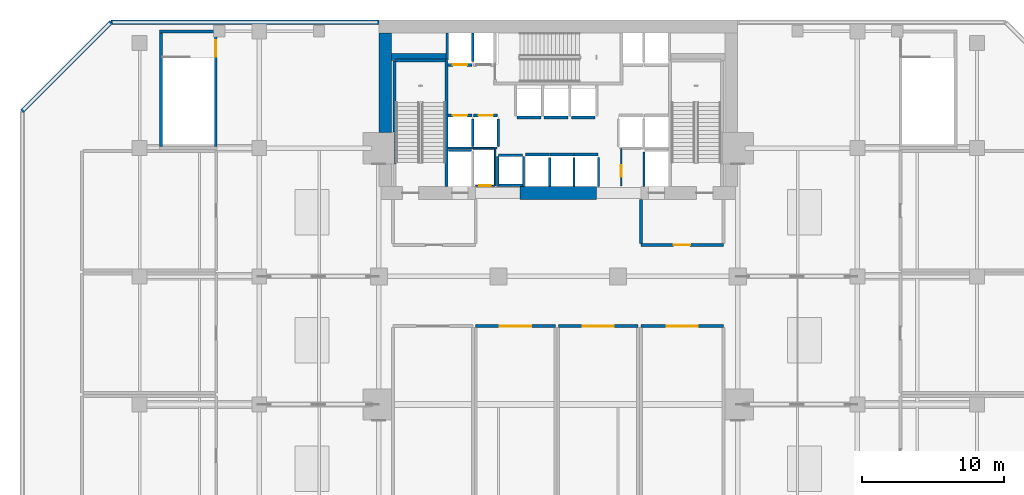
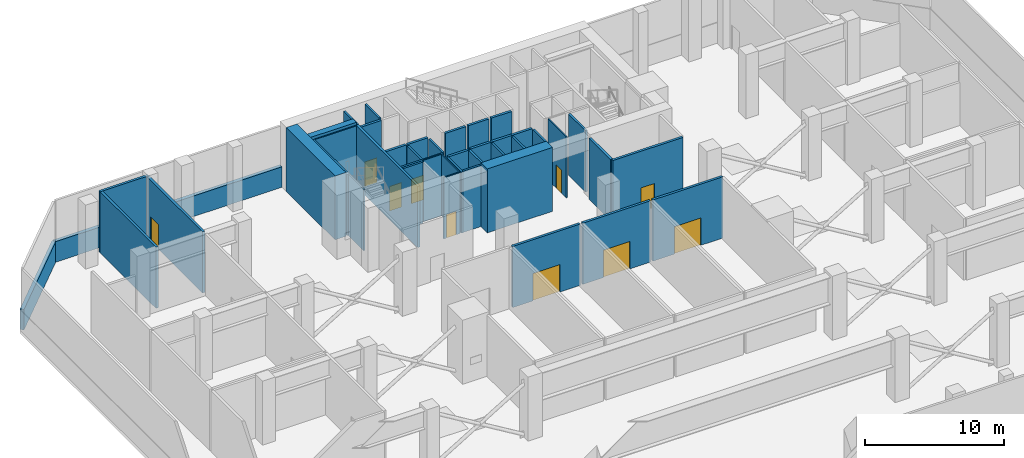
# One storey, part 9 of 15: 44 walls, 10 doors, 10 openings.
"""IFC4 building model written with IfcOpenShell, lengths in metres."""

import ifcopenshell
import ifcopenshell.guid

model = None  # the IFC model being written
_history = None  # IfcOwnerHistory: only IFC2X3 demands one
_inside = {}  # id of a spatial element -> (the spatial element, [elements in it])
_under = {}  # id of a project, library or spatial element -> (it, [spatial elements below it])
_declared = {}  # id of a project -> (the project, [libraries it declares])
_typed = {}  # id of a type object -> (the type object, [elements of that type])
_made_of = {}  # id of a material, layer set ... -> (it, [elements and type objects made of it])


def new_model(schema):
    """Start an empty IFC model of exactly this schema.

    Asked for "IFC4X3", IfcOpenShell would pick the latest addendum, in which some entities
    have other attributes; the version numbers below select the first issue.
    IFC2X3 requires an IfcOwnerHistory on every rooted entity: one is made here for all.
    """
    global model, _history
    if schema == "IFC4X3":
        model = ifcopenshell.file(schema_version=(4, 3, 0, 0))
    else:
        model = ifcopenshell.file(schema=schema)
    _inside.clear()
    _under.clear()
    _declared.clear()
    _typed.clear()
    _made_of.clear()
    _history = None
    if model.schema == "IFC2X3":
        org = make("IfcOrganization", Name="unknown")
        user = make(
            "IfcPersonAndOrganization",
            ThePerson=make("IfcPerson", FamilyName="unknown"),
            TheOrganization=org,
        )
        app = make(
            "IfcApplication",
            ApplicationDeveloper=org,
            Version="unknown",
            ApplicationFullName="unknown",
            ApplicationIdentifier="unknown",
        )
        _history = make(
            "IfcOwnerHistory",
            OwningUser=user,
            OwningApplication=app,
            ChangeAction="ADDED",
            CreationDate=0,
        )
    return model


def make(cls, **values):
    """One entity of the class cls with the attributes given. An attribute that is None is left unset."""
    return model.create_entity(
        cls, **{name: value for name, value in values.items() if value is not None}
    )


def rooted(cls, **values):
    """An entity with a GlobalId (a new one), such as an element, a storey or a relation."""
    return make(cls, GlobalId=ifcopenshell.guid.new(), OwnerHistory=_history, **values)


def si_unit(unit_type, name, prefix=None):
    """IfcSIUnit, for example si_unit("LENGTHUNIT", "METRE", prefix="MILLI")."""
    return make("IfcSIUnit", UnitType=unit_type, Prefix=prefix, Name=name)


def assignment(units):
    """IfcUnitAssignment: the units of a project."""
    return None if units is None else make("IfcUnitAssignment", Units=units)


def point(xyz):
    """IfcCartesianPoint."""
    return None if xyz is None else make("IfcCartesianPoint", Coordinates=xyz)


def direction(xyz):
    """IfcDirection."""
    return None if xyz is None else make("IfcDirection", DirectionRatios=xyz)


def frame(location, z_axis=None, x_axis=None):
    """IfcAxis2Placement3D, a coordinate frame: its origin and axes. An axis left out is left unset."""
    return make(
        "IfcAxis2Placement3D",
        Location=point(location),
        Axis=direction(z_axis),
        RefDirection=direction(x_axis),
    )


def frame_2d(location, x_axis=None):
    """IfcAxis2Placement2D, a coordinate frame in the plane: its origin and x axis."""
    return make(
        "IfcAxis2Placement2D", Location=point(location), RefDirection=direction(x_axis)
    )


def origin():
    """The frame at (0, 0, 0) with its axes left unset."""
    return frame((0.0, 0.0, 0.0))


def place(relative_to, where):
    """IfcLocalPlacement: puts the frame where relative to a parent placement (None: the world)."""
    return make(
        "IfcLocalPlacement", PlacementRelTo=relative_to, RelativePlacement=where
    )


def context(
    kind, dimensions, precision=None, world=None, true_north=None, identifier=None
):
    """IfcGeometricRepresentationContext, for example the 3D "Model" context."""
    return make(
        "IfcGeometricRepresentationContext",
        ContextIdentifier=identifier,
        ContextType=kind,
        CoordinateSpaceDimension=dimensions,
        Precision=precision,
        WorldCoordinateSystem=world,
        TrueNorth=true_north,
    )


def subcontext(parent, identifier, kind, view, scale=None):
    """IfcGeometricRepresentationSubContext, for example "Body" below "Model"."""
    return make(
        "IfcGeometricRepresentationSubContext",
        ContextIdentifier=identifier,
        ContextType=kind,
        ParentContext=parent,
        TargetScale=scale,
        TargetView=view,
    )


def project(units=None, contexts=None):
    """IfcProject with its units and contexts."""
    return rooted(
        "IfcProject",
        Name="project",
        RepresentationContexts=contexts,
        UnitsInContext=assignment(units),
    )


def spatial(cls, under=None, at=None, **own):
    """A site, building, storey or space (cls), placed at a placement, below another one or the project."""
    s = rooted(cls, ObjectPlacement=at, **own)
    if under is not None:
        _under.setdefault(under.id(), (under, []))[1].append(s)
    return s


def profile(cls, at=None, kind="AREA", **sizes):
    """A parametric profile (cls). Its sizes go by their IFC names, for example OverallWidth=200.0."""
    return make(cls, ProfileType=kind, Position=at, **sizes)


def rectangle(**sizes):
    """IfcRectangleProfileDef."""
    return profile("IfcRectangleProfileDef", **sizes)


def extrude(swept, where, along, depth):
    """IfcExtrudedAreaSolid: the profile swept, set in the frame where, extruded along a direction by depth."""
    return make(
        "IfcExtrudedAreaSolid",
        SweptArea=swept,
        Position=where,
        ExtrudedDirection=direction(along),
        Depth=depth,
    )


def shape(context_of_items, identifier, shape_type, items):
    """IfcShapeRepresentation: the items that make up one representation, for example the "Body"."""
    return make(
        "IfcShapeRepresentation",
        ContextOfItems=context_of_items,
        RepresentationIdentifier=identifier,
        RepresentationType=shape_type,
        Items=items,
    )


def material(Name=None, Category=None):
    """IfcMaterial."""
    return make("IfcMaterial", Name=Name, Category=Category)


def layer(
    of_material, thickness, ventilated=None, Name=None, Category=None, Priority=None
):
    """IfcMaterialLayer: one layer of a wall or slab, of a material (None: an air gap)."""
    return make(
        "IfcMaterialLayer",
        Material=of_material,
        LayerThickness=thickness,
        IsVentilated=ventilated,
        Name=Name,
        Category=Category,
        Priority=Priority,
    )


def layer_set(layers, Name=None):
    """IfcMaterialLayerSet."""
    return make("IfcMaterialLayerSet", MaterialLayers=layers, LayerSetName=Name)


def made_of(thing, what):
    """Note that an element or type object is made of a material, layer set ...; save() writes the relation."""
    if what is not None:
        _made_of.setdefault(what.id(), (what, []))[1].append(thing)
    return thing


def type_object(cls, material=None, **own):
    """A type object (cls), such as IfcWallType, which elements share."""
    return made_of(rooted(cls, **own), material)


def element(
    cls,
    number,
    at=None,
    inside=None,
    cuts=None,
    type_object=None,
    material=None,
    context=None,
    identifier="Body",
    shape_type=None,
    held_by="IfcProductDefinitionShape",
    body=None,
    shapes=None,
    **own,
):
    """One element of the class cls, such as IfcWall. Its Tag is "e" and its number.

    at: its placement. inside: the storey or other place that contains it. cuts: it is an
    opening in that element (IfcRelVoidsElement). A single representation is given by context,
    identifier, shape_type and body (its items); several are given by shapes. held_by: the class
    of the entity that holds the representations. save() writes the other relations.
    """
    e = rooted(cls, Tag="e%d" % number, ObjectPlacement=at, **own)
    if body is not None:
        shapes = [shape(context, identifier, shape_type, body)]
    if shapes is not None:
        e.Representation = make(held_by, Representations=shapes)
    if inside is not None:
        _inside.setdefault(inside.id(), (inside, []))[1].append(e)
    if cuts is not None:
        rooted(
            "IfcRelVoidsElement", RelatingBuildingElement=cuts, RelatedOpeningElement=e
        )
    if type_object is not None:
        _typed.setdefault(type_object.id(), (type_object, []))[1].append(e)
    return made_of(e, material)


def fill(opening, filler):
    """IfcRelFillsElement: the door or window that sits in an opening."""
    return rooted(
        "IfcRelFillsElement",
        RelatingOpeningElement=opening,
        RelatedBuildingElement=filler,
    )


def aggregate(whole, parts):
    """IfcRelAggregates: a whole, such as a stair, and the parts it consists of."""
    return rooted("IfcRelAggregates", RelatingObject=whole, RelatedObjects=parts)


def save(model, path):
    """Write the relations noted so far, then the file.

    IfcRelAggregates (storeys below a building ...), IfcRelContainedInSpatialStructure (elements
    in a storey), IfcRelDefinesByType, IfcRelAssociatesMaterial and IfcRelDeclares: one each for
    every whole, place, type object, material and project.
    """
    for whole, parts in _under.values():
        aggregate(whole, parts)
    for where, things in _inside.values():
        rooted(
            "IfcRelContainedInSpatialStructure",
            RelatedElements=things,
            RelatingStructure=where,
        )
    for kind, things in _typed.values():
        rooted("IfcRelDefinesByType", RelatedObjects=things, RelatingType=kind)
    for what, things in _made_of.values():
        rooted("IfcRelAssociatesMaterial", RelatedObjects=things, RelatingMaterial=what)
    for by, libraries in _declared.values():
        rooted("IfcRelDeclares", RelatingContext=by, RelatedDefinitions=libraries)
    model.write(path)


model = new_model("IFC4")

# Units and contexts
model_context = context("Model", 3, precision=1e-05, world=origin(), true_north=direction((0.0, 1.0)))
body_context = subcontext(model_context, "Body", "Model", "MODEL_VIEW")
ifc_project = project(units=[si_unit("LENGTHUNIT", "METRE"), si_unit("AREAUNIT", "SQUARE_METRE"), si_unit("VOLUMEUNIT", "CUBIC_METRE"), si_unit("PLANEANGLEUNIT", "RADIAN"), si_unit("MASSUNIT", "GRAM", prefix="KILO")], contexts=[model_context])

# Site, building, storey
site_placement = place(None, origin())
site = spatial("IfcSite", under=ifc_project, at=site_placement, CompositionType="ELEMENT")
building_placement = place(site_placement, origin())
building = spatial("IfcBuilding", under=site, at=building_placement, Name="Maruvema Waterfront Hotel and Observation Tower", CompositionType="ELEMENT")
storey_placement = place(building_placement, frame((0.0, 0.0, 21.35009765625)))
storey = spatial("IfcBuildingStorey", under=building, at=storey_placement, Name="L04", CompositionType="ELEMENT", Elevation=21.35009765625)

# Walls
ifc_material_1 = material(Name="Precast concrete C45/55", Category="concrete")
ifc_layer_1 = layer(ifc_material_1, 0.199951171875, Name="Core Shaft and Stairwell Enclosure Wall 200 mm")
ifc_layer_set_1 = layer_set([ifc_layer_1], Name="Precast concrete C45/55")
wall_type_1 = type_object("IfcWallType", Name="Core Shaft and Stairwell Enclosure Wall 200 mm", PredefinedType="SOLIDWALL", material=ifc_layer_set_1)
wall_1_placement = place(storey_placement, frame((29.949951171875, 42.300048828125, 0.0), z_axis=(0.0, 0.0, 1.0), x_axis=(0.0, 1.0, 0.0)))
element("IfcWall", 1, at=wall_1_placement, inside=storey, type_object=wall_type_1, Name="L04 Stairwell ST-01 East Shaft Wall", PredefinedType="SOLIDWALL", context=body_context, shape_type="SweptSolid", body=[
    extrude(rectangle(XDim=8.849853515625, YDim=0.199951171875, at=frame_2d((4.4248046875, 0.0))), origin(), (0.0, 0.0, 1.0), 5.35986328125),
])
wall_2_placement = place(storey_placement, frame((26.300048828125, 46.1201171875, 0.0), z_axis=(0.0, 0.0, 1.0), x_axis=(0.0, 1.0, 0.0)))
element("IfcWall", 2, at=wall_2_placement, inside=storey, type_object=wall_type_1, Name="L04 Stairwell ST-01 Shaft Lining Wall", PredefinedType="SOLIDWALL", context=body_context, shape_type="SweptSolid", body=[
    extrude(rectangle(XDim=5.0, YDim=0.199951171875, at=frame_2d((2.5, 0.0))), origin(), (0.0, 0.0, 1.0), 5.35986328125),
])
wall_3_placement = place(storey_placement, frame((26.3798828125, 51.14990234375, 0.0), z_axis=(0.0, 0.0, 1.0), x_axis=(1.0, 0.0, 0.0)))
element("IfcWall", 3, at=wall_3_placement, inside=storey, type_object=wall_type_1, Name="L04 Stairwell ST-01 Shaft Lining Wall", PredefinedType="SOLIDWALL", context=body_context, shape_type="SweptSolid", body=[
    extrude(rectangle(XDim=3.5, YDim=0.199951171875, at=frame_2d((1.75, 0.0))), origin(), (0.0, 0.0, 1.0), 5.35986328125),
])
wall_4_placement = place(storey_placement, frame((9.89990234375, 45.10009765625, 0.0), z_axis=(0.0, 0.0, 1.0), x_axis=(0.0, 1.0, 0.0)))
element("IfcWall", 4, at=wall_4_placement, inside=storey, type_object=wall_type_1, Name="L04 Stairwell ST-04 Shaft Wall", PredefinedType="SOLIDWALL", context=body_context, shape_type="SweptSolid", body=[
    extrude(rectangle(XDim=8.099853515625, YDim=0.199951171875, at=frame_2d((4.0498046875, 0.0))), origin(), (0.0, 0.0, 1.0), 5.35986328125),
])

# Wall, opening, door
wall_5_placement = place(storey_placement, frame((13.75, 45.10009765625, 0.0), z_axis=(0.0, 0.0, 1.0), x_axis=(0.0, 1.0, 0.0)))
wall_5 = element("IfcWall", 5, at=wall_5_placement, inside=storey, type_object=wall_type_1, Name="L04 Stairwell ST-04 Shaft Wall", PredefinedType="SOLIDWALL", context=body_context, shape_type="SweptSolid", body=[
    extrude(rectangle(XDim=8.099853515625, YDim=0.199951171875, at=frame_2d((4.0498046875, 0.0))), origin(), (0.0, 0.0, 1.0), 5.35986328125),
])
opening_1_placement = place(wall_5_placement, frame((6.320068359375, 0.0, 0.0)))
opening_1 = element("IfcOpeningElement", 6, at=opening_1_placement, cuts=wall_5, Name="Opening SD-01", PredefinedType="OPENING", context=body_context, shape_type="SweptSolid", body=[
    extrude(rectangle(XDim=1.14990234375, YDim=2.14990234375, at=frame_2d((0.574951171875, 1.074951171875))), frame((0.0, 0.10986328125, 0.0), z_axis=(0.0, -1.0, 0.0), x_axis=(1.0, 0.0, 0.0)), (0.0, 0.0, 1.0), 0.219970703125),
])
ifc_material_2 = material(Name="Fire-rated galvanised steel leaf", Category="steel")
door_type_1 = type_object("IfcDoorType", Name="Exit Stair Fire Door 1150x2150 mm", OperationType="NOTDEFINED", PredefinedType="DOOR", material=ifc_material_2)
door_1_placement = place(opening_1_placement, origin())
door_1 = element("IfcDoor", 7, at=door_1_placement, inside=storey, type_object=door_type_1, Name="L04 Exit Stair ST-04 Fire Door", OperationType="SINGLE_SWING_RIGHT", OverallHeight=2.14990234375, OverallWidth=1.14990234375, PredefinedType="DOOR", context=body_context, shape_type="SweptSolid", body=[
    extrude(rectangle(XDim=1.14990234375, YDim=2.14990234375, at=frame_2d((0.574951171875, 1.074951171875))), frame((0.0, 0.02490234375, 0.0), z_axis=(0.0, -1.0, 0.0), x_axis=(1.0, 0.0, 0.0)), (0.0, 0.0, 1.0), 0.050048828125),
])
fill(opening_1, door_1)

# Wall
wall_6_placement = place(storey_placement, frame((9.800048828125, 53.199951171875, 0.0), z_axis=(0.0, 0.0, 1.0), x_axis=(1.0, 0.0, 0.0)))
element("IfcWall", 8, at=wall_6_placement, inside=storey, type_object=wall_type_1, Name="L04 Stairwell ST-04 Shaft Wall", PredefinedType="SOLIDWALL", context=body_context, shape_type="SweptSolid", body=[
    extrude(rectangle(XDim=4.050048828125, YDim=0.199951171875, at=frame_2d((2.02490234375, 0.0))), origin(), (0.0, 0.0, 1.0), 5.35986328125),
])

# Wall, opening, door
wall_7_placement = place(storey_placement, frame((30.06005859375, 47.300048828125, 0.0), z_axis=(0.0, 0.0, 1.0), x_axis=(1.0, 0.0, 0.0)))
wall_7 = element("IfcWall", 9, at=wall_7_placement, inside=storey, type_object=wall_type_1, Name="L04 Lift LF-01 Hoistway Front Wall", PredefinedType="SOLIDWALL", context=body_context, shape_type="SweptSolid", body=[
    extrude(rectangle(XDim=1.679931640625, YDim=0.199951171875, at=frame_2d((0.83984375, 0.0))), origin(), (0.0, 0.0, 1.0), 5.35986328125),
])
opening_2_placement = place(wall_7_placement, frame((0.340087890625, 0.0, 0.0)))
opening_2 = element("IfcOpeningElement", 10, at=opening_2_placement, cuts=wall_7, Name="Opening LD-01", PredefinedType="OPENING", context=body_context, shape_type="SweptSolid", body=[
    extrude(rectangle(XDim=1.0, YDim=2.14990234375, at=frame_2d((0.5, 1.074951171875))), frame((0.0, 0.10986328125, 0.0), z_axis=(0.0, -1.0, 0.0), x_axis=(1.0, 0.0, 0.0)), (0.0, 0.0, 1.0), 0.219970703125),
])
ifc_material_3 = material(Name="Brushed stainless steel Grade 316", Category="steel")
door_type_2 = type_object("IfcDoorType", Name="Passenger Lift Sliding Landing Door 1000x2150 mm", OperationType="SLIDING_TO_LEFT", PredefinedType="DOOR", material=ifc_material_3)
door_2_placement = place(opening_2_placement, origin())
door_2 = element("IfcDoor", 11, at=door_2_placement, inside=storey, type_object=door_type_2, Name="L04 Lift LF-01 Sliding Landing Door", OperationType="SLIDING_TO_LEFT", OverallHeight=2.14990234375, OverallWidth=1.0, PredefinedType="DOOR", context=body_context, shape_type="SweptSolid", body=[
    extrude(rectangle(XDim=1.0, YDim=2.14990234375, at=frame_2d((0.5, 1.074951171875))), frame((0.0, 0.02490234375, 0.0), z_axis=(0.0, -1.0, 0.0), x_axis=(1.0, 0.0, 0.0)), (0.0, 0.0, 1.0), 0.050048828125),
])
fill(opening_2, door_2)

wall_8_placement = place(storey_placement, frame((31.860107421875, 47.300048828125, 0.0), z_axis=(0.0, 0.0, 1.0), x_axis=(1.0, 0.0, 0.0)))
wall_8 = element("IfcWall", 12, at=wall_8_placement, inside=storey, type_object=wall_type_1, Name="L04 Lift LF-02 Hoistway Front Wall", PredefinedType="SOLIDWALL", context=body_context, shape_type="SweptSolid", body=[
    extrude(rectangle(XDim=1.679931640625, YDim=0.199951171875, at=frame_2d((0.83984375, 0.0))), origin(), (0.0, 0.0, 1.0), 5.35986328125),
])
opening_3_placement = place(wall_8_placement, frame((0.340087890625, 0.0, 0.0)))
opening_3 = element("IfcOpeningElement", 13, at=opening_3_placement, cuts=wall_8, Name="Opening LD-01", PredefinedType="OPENING", context=body_context, shape_type="SweptSolid", body=[
    extrude(rectangle(XDim=1.0, YDim=2.14990234375, at=frame_2d((0.5, 1.074951171875))), frame((0.0, 0.10986328125, 0.0), z_axis=(0.0, -1.0, 0.0), x_axis=(1.0, 0.0, 0.0)), (0.0, 0.0, 1.0), 0.219970703125),
])
door_3_placement = place(opening_3_placement, origin())
door_3 = element("IfcDoor", 14, at=door_3_placement, inside=storey, type_object=door_type_2, Name="L04 Lift LF-02 Sliding Landing Door", OperationType="SLIDING_TO_LEFT", OverallHeight=2.14990234375, OverallWidth=1.0, PredefinedType="DOOR", context=body_context, shape_type="SweptSolid", body=[
    extrude(rectangle(XDim=1.0, YDim=2.14990234375, at=frame_2d((0.5, 1.074951171875))), frame((0.0, 0.02490234375, 0.0), z_axis=(0.0, -1.0, 0.0), x_axis=(1.0, 0.0, 0.0)), (0.0, 0.0, 1.0), 0.050048828125),
])
fill(opening_3, door_3)

wall_9_placement = place(storey_placement, frame((30.06005859375, 50.85009765625, 0.0), z_axis=(0.0, 0.0, 1.0), x_axis=(1.0, 0.0, 0.0)))
wall_9 = element("IfcWall", 15, at=wall_9_placement, inside=storey, type_object=wall_type_1, Name="L04 Lift LF-03 Hoistway Front Wall", PredefinedType="SOLIDWALL", context=body_context, shape_type="SweptSolid", body=[
    extrude(rectangle(XDim=1.679931640625, YDim=0.199951171875, at=frame_2d((0.83984375, 0.0))), origin(), (0.0, 0.0, 1.0), 5.35986328125),
])
opening_4_placement = place(wall_9_placement, frame((0.340087890625, 0.0, 0.0)))
opening_4 = element("IfcOpeningElement", 16, at=opening_4_placement, cuts=wall_9, Name="Opening LD-01", PredefinedType="OPENING", context=body_context, shape_type="SweptSolid", body=[
    extrude(rectangle(XDim=1.0, YDim=2.14990234375, at=frame_2d((0.5, 1.074951171875))), frame((0.0, 0.10986328125, 0.0), z_axis=(0.0, -1.0, 0.0), x_axis=(1.0, 0.0, 0.0)), (0.0, 0.0, 1.0), 0.219970703125),
])
door_4_placement = place(opening_4_placement, frame((1.0, 0.0, 0.0), z_axis=(0.0, 0.0, 1.0), x_axis=(-1.0, 0.0, 0.0)))
door_4 = element("IfcDoor", 17, at=door_4_placement, inside=storey, type_object=door_type_2, Name="L04 Lift LF-03 Sliding Landing Door", OperationType="SLIDING_TO_LEFT", OverallHeight=2.14990234375, OverallWidth=1.0, PredefinedType="DOOR", context=body_context, shape_type="SweptSolid", body=[
    extrude(rectangle(XDim=1.0, YDim=2.14990234375, at=frame_2d((0.5, 1.074951171875))), frame((0.0, 0.02490234375, 0.0), z_axis=(0.0, -1.0, 0.0), x_axis=(1.0, 0.0, 0.0)), (0.0, 0.0, 1.0), 0.050048828125),
])
fill(opening_4, door_4)

# Walls
for number, where, z_axis, x_axis, name in (
    (18, (35.510009765625, 44.550048828125, 0.0), (0.0, 0.0, 1.0), (1.0, 0.0, 0.0), "L04 Lift LF-09 Hoistway Front Wall"),
    (19, (37.2099609375, 44.550048828125, 0.0), (0.0, 0.0, 1.0), (1.0, 0.0, 0.0), "L04 Lift LF-10 Hoistway Front Wall"),
):
    element("IfcWall", number, at=place(storey_placement, frame(where, z_axis=z_axis, x_axis=x_axis)), inside=storey, type_object=wall_type_1, Name=name, PredefinedType="SOLIDWALL", context=body_context, shape_type="SweptSolid", body=[
        extrude(rectangle(XDim=1.679931640625, YDim=0.199951171875, at=frame_2d((0.83984375, 0.0))), origin(), (0.0, 0.0, 1.0), 5.35986328125),
    ])
for number, where, z_axis, x_axis, name in (
    (20, (38.909912109375, 44.550048828125, 0.0), (0.0, 0.0, 1.0), (1.0, 0.0, 0.0), "L04 Lift LF-11 Hoistway Front Wall"),
    (21, (34.909912109375, 47.14990234375, 0.0), (0.0, 0.0, 1.0), (1.0, 0.0, 0.0), "L04 Lift LF-12 Hoistway Front Wall"),
):
    element("IfcWall", number, at=place(storey_placement, frame(where, z_axis=z_axis, x_axis=x_axis)), inside=storey, type_object=wall_type_1, Name=name, PredefinedType="SOLIDWALL", context=body_context, shape_type="SweptSolid", body=[
        extrude(rectangle(XDim=1.68017578125, YDim=0.199951171875, at=frame_2d((0.840087890625, 0.0))), origin(), (0.0, 0.0, 1.0), 5.35986328125),
    ])
for number, where, z_axis, x_axis, name in (
    (22, (36.81005859375, 47.14990234375, 0.0), (0.0, 0.0, 1.0), (1.0, 0.0, 0.0), "L04 Lift LF-13 Hoistway Front Wall"),
    (23, (38.7099609375, 47.14990234375, 0.0), (0.0, 0.0, 1.0), (1.0, 0.0, 0.0), "L04 Lift LF-14 Hoistway Front Wall"),
    (24, (33.610107421875, 44.5, 0.0), (0.0, 0.0, 1.0), (1.0, 0.0, 0.0), "L04 Lift LF-15 Hoistway Front Wall"),
):
    element("IfcWall", number, at=place(storey_placement, frame(where, z_axis=z_axis, x_axis=x_axis)), inside=storey, type_object=wall_type_1, Name=name, PredefinedType="SOLIDWALL", context=body_context, shape_type="SweptSolid", body=[
        extrude(rectangle(XDim=1.679931640625, YDim=0.199951171875, at=frame_2d((0.83984375, 0.0))), origin(), (0.0, 0.0, 1.0), 5.35986328125),
    ])
ifc_material_4 = material(Name="Concrete C70/85", Category="concrete")
ifc_layer_2 = layer(ifc_material_4, 0.5, Name="Core Shear Wall 500 mm")
ifc_layer_set_2 = layer_set([ifc_layer_2], Name="Concrete C70/85")
wall_type_2 = type_object("IfcWallType", Name="Core Shear Wall 500 mm", PredefinedType="SHEAR", material=ifc_layer_set_2)
wall_10_placement = place(storey_placement, frame((26.10009765625, 51.39990234375, 0.0), z_axis=(0.0, 0.0, 1.0), x_axis=(1.0, 0.0, 0.0)))
element("IfcWall", 25, at=wall_10_placement, inside=storey, type_object=wall_type_2, Name="L04 Internal Core Shear Wall NW 500 mm", PredefinedType="SHEAR", context=body_context, shape_type="SweptSolid", body=[
    extrude(rectangle(XDim=3.7998046875, YDim=0.5, at=frame_2d((1.89990234375, 0.0))), origin(), (0.0, 0.0, 1.0), 5.599853515625),
])
ifc_material_5 = material(Name="Concrete C80/95", Category="concrete")
ifc_layer_3 = layer(ifc_material_5, 0.89990234375, Name="Core Shear Wall 900 mm")
ifc_layer_set_3 = layer_set([ifc_layer_3], Name="Concrete C80/95")
wall_type_3 = type_object("IfcWallType", Name="Core Shear Wall 900 mm", PredefinedType="SHEAR", material=ifc_layer_set_3)
wall_11_placement = place(storey_placement, frame((35.10009765625, 41.85009765625, 0.0), z_axis=(0.0, 0.0, 1.0), x_axis=(1.0, 0.0, 0.0)))
element("IfcWall", 26, at=wall_11_placement, inside=storey, type_object=wall_type_3, Name="L04 South-Central Core Shear Wall", PredefinedType="SHEAR", context=body_context, shape_type="SweptSolid", body=[
    extrude(rectangle(XDim=5.39990234375, YDim=0.89990234375, at=frame_2d((2.699951171875, 0.0))), origin(), (0.0, 0.0, 1.0), 5.599853515625),
])
wall_12_placement = place(storey_placement, frame((25.64990234375, 46.10009765625, 0.0), z_axis=(0.0, 0.0, 1.0), x_axis=(0.0, 1.0, 0.0)))
element("IfcWall", 27, at=wall_12_placement, inside=storey, type_object=wall_type_3, Name="L04 West-North Core Shear Wall", PredefinedType="SHEAR", context=body_context, shape_type="SweptSolid", body=[
    extrude(rectangle(XDim=7.0, YDim=0.89990234375, at=frame_2d((3.5, 0.0))), origin(), (0.0, 0.0, 1.0), 5.599853515625),
])

# Wall, opening, door
ifc_material_6 = material(Name="Moisture-resistant cement-board drywall", Category="gypsum")
ifc_layer_4 = layer(ifc_material_6, 0.10009765625, Name="En-Suite Moisture-Resistant Partition 100 mm")
ifc_layer_set_4 = layer_set([ifc_layer_4], Name="Moisture-resistant cement-board drywall")
wall_type_4 = type_object("IfcWallType", Name="En-Suite Moisture-Resistant Partition 100 mm", PredefinedType="PARTITIONING", material=ifc_layer_set_4)
wall_13_placement = place(storey_placement, frame((32.02001953125, 42.360107421875, 0.0), z_axis=(0.0, 0.0, 1.0), x_axis=(1.0, 0.0, 0.0)))
wall_13 = element("IfcWall", 28, at=wall_13_placement, inside=storey, type_object=wall_type_4, Name="L04 Telecom Riser South Wall 007", PredefinedType="PARTITIONING", context=body_context, shape_type="SweptSolid", body=[
    extrude(rectangle(XDim=1.320068359375, YDim=0.10009765625, at=frame_2d((0.66015625, 0.0))), origin(), (0.0, 0.0, 1.0), 5.35986328125),
])
opening_5_placement = place(wall_13_placement, frame((0.239990234375, 0.0, 0.0)))
opening_5 = element("IfcOpeningElement", 29, at=opening_5_placement, cuts=wall_13, Name="Opening DR-080", PredefinedType="OPENING", context=body_context, shape_type="SweptSolid", body=[
    extrude(rectangle(XDim=0.800048828125, YDim=2.050048828125, at=frame_2d((0.39990234375, 1.02490234375))), frame((0.0, 0.06005859375, 0.0), z_axis=(0.0, -1.0, 0.0), x_axis=(1.0, 0.0, 0.0)), (0.0, 0.0, 1.0), 0.1201171875),
])
ifc_material_7 = material(Name="Powder-coated steel access leaf", Category="steel")
door_type_3 = type_object("IfcDoorType", Name="Riser and Service Cupboard Door 800x2050 mm", OperationType="NOTDEFINED", PredefinedType="DOOR", material=ifc_material_7)
door_5_placement = place(opening_5_placement, frame((0.800048828125, 0.0, 0.0), z_axis=(0.0, 0.0, 1.0), x_axis=(-1.0, 0.0, 0.0)))
door_5 = element("IfcDoor", 30, at=door_5_placement, inside=storey, type_object=door_type_3, Name="L04 Telecom Riser Door", OperationType="SINGLE_SWING_RIGHT", OverallHeight=2.050048828125, OverallWidth=0.800048828125, PredefinedType="DOOR", context=body_context, shape_type="SweptSolid", body=[
    extrude(rectangle(XDim=0.800048828125, YDim=2.050048828125, at=frame_2d((0.39990234375, 1.02490234375))), frame((0.0, 0.02490234375, 0.0), z_axis=(0.0, -1.0, 0.0), x_axis=(1.0, 0.0, 0.0)), (0.0, 0.0, 1.0), 0.050048828125),
])
fill(opening_5, door_5)

# Walls
wall_14_placement = place(storey_placement, frame((31.840087890625, 44.9599609375, 0.0), z_axis=(0.0, 0.0, 1.0), x_axis=(1.0, 0.0, 0.0)))
element("IfcWall", 31, at=wall_14_placement, inside=storey, type_object=wall_type_4, Name="L04 Telecom Riser North Wall 008", PredefinedType="PARTITIONING", context=body_context, shape_type="SweptSolid", body=[
    extrude(rectangle(XDim=1.47998046875, YDim=0.10009765625, at=frame_2d((0.739990234375, 0.0))), origin(), (0.0, 0.0, 1.0), 5.35986328125),
])
wall_15_placement = place(storey_placement, frame((33.360107421875, 42.360107421875, 0.0), z_axis=(0.0, 0.0, 1.0), x_axis=(0.0, 1.0, 0.0)))
element("IfcWall", 32, at=wall_15_placement, inside=storey, type_object=wall_type_4, Name="L04 Telecom Riser East Wall 009", PredefinedType="PARTITIONING", context=body_context, shape_type="SweptSolid", body=[
    extrude(rectangle(XDim=2.579833984375, YDim=0.10009765625, at=frame_2d((1.2900390625, 0.0))), origin(), (0.0, 0.0, 1.0), 5.35986328125),
])

# Wall, opening, door
wall_16_placement = place(storey_placement, frame((42.219970703125, 42.35009765625, 0.0), z_axis=(0.0, 0.0, 1.0), x_axis=(0.0, 1.0, 0.0)))
wall_16 = element("IfcWall", 33, at=wall_16_placement, inside=storey, type_object=wall_type_4, Name="L04 Core Closet K1 West 010", PredefinedType="PARTITIONING", context=body_context, shape_type="SweptSolid", body=[
    extrude(rectangle(XDim=2.60986328125, YDim=0.10009765625, at=frame_2d((1.304931640625, 0.0))), origin(), (0.0, 0.0, 1.0), 5.35986328125),
])
opening_6_placement = place(wall_16_placement, frame((0.64990234375, 0.0, 0.0)))
opening_6 = element("IfcOpeningElement", 34, at=opening_6_placement, cuts=wall_16, Name="Opening DR-080", PredefinedType="OPENING", context=body_context, shape_type="SweptSolid", body=[
    extrude(rectangle(XDim=0.800048828125, YDim=2.050048828125, at=frame_2d((0.39990234375, 1.02490234375))), frame((0.0, 0.06005859375, 0.0), z_axis=(0.0, -1.0, 0.0), x_axis=(1.0, 0.0, 0.0)), (0.0, 0.0, 1.0), 0.1201171875),
])
door_6_placement = place(opening_6_placement, frame((0.800048828125, 0.0, 0.0), z_axis=(0.0, 0.0, 1.0), x_axis=(-1.0, 0.0, 0.0)))
door_6 = element("IfcDoor", 35, at=door_6_placement, inside=storey, type_object=door_type_3, Name="L04 Plant Meter Closet Door", OperationType="SINGLE_SWING_LEFT", OverallHeight=2.050048828125, OverallWidth=0.800048828125, PredefinedType="DOOR", context=body_context, shape_type="SweptSolid", body=[
    extrude(rectangle(XDim=0.800048828125, YDim=2.050048828125, at=frame_2d((0.39990234375, 1.02490234375))), frame((0.0, 0.02490234375, 0.0), z_axis=(0.0, -1.0, 0.0), x_axis=(1.0, 0.0, 0.0)), (0.0, 0.0, 1.0), 0.050048828125),
])
fill(opening_6, door_6)

ifc_material_8 = material(Name="Autoclaved cellular concrete blockwork", Category="masonry")
ifc_layer_5 = layer(ifc_material_8, 0.199951171875, Name="Fire Compartment Masonry Wall 200 mm")
ifc_layer_set_5 = layer_set([ifc_layer_5], Name="Autoclaved cellular concrete blockwork")
wall_type_5 = type_object("IfcWallType", Name="Fire Compartment Masonry Wall 200 mm", PredefinedType="PARTITIONING", material=ifc_layer_set_5)
wall_17_placement = place(storey_placement, frame((43.60009765625, 38.199951171875, 0.0), z_axis=(0.0, 0.0, 1.0), x_axis=(1.0, 0.0, 0.0)))
wall_17 = element("IfcWall", 36, at=wall_17_placement, inside=storey, type_object=wall_type_5, Name="L04 FFL East South Wall 004", PredefinedType="PARTITIONING", context=body_context, shape_type="SweptSolid", body=[
    extrude(rectangle(XDim=5.7998046875, YDim=0.199951171875, at=frame_2d((2.89990234375, 0.0))), origin(), (0.0, 0.0, 1.0), 5.35986328125),
])
opening_7_placement = place(wall_17_placement, frame((2.300048828125, 0.0, 0.0)))
opening_7 = element("IfcOpeningElement", 37, at=opening_7_placement, cuts=wall_17, Name="Opening FD-115", PredefinedType="OPENING", context=body_context, shape_type="SweptSolid", body=[
    extrude(rectangle(XDim=1.14990234375, YDim=2.14990234375, at=frame_2d((0.574951171875, 1.074951171875))), frame((0.0, 0.10986328125, 0.0), z_axis=(0.0, -1.0, 0.0), x_axis=(1.0, 0.0, 0.0)), (0.0, 0.0, 1.0), 0.219970703125),
])
ifc_material_9 = material(Name="Fire-rated galvanised steel and vision glass", Category="steel")
door_type_4 = type_object("IfcDoorType", Name="Firefighting Lobby Fire Door 1150x2150 mm", OperationType="NOTDEFINED", PredefinedType="DOOR", material=ifc_material_9)
door_7_placement = place(opening_7_placement, frame((1.14990234375, 0.0, 0.0), z_axis=(0.0, 0.0, 1.0), x_axis=(-1.0, 0.0, 0.0)))
door_7 = element("IfcDoor", 38, at=door_7_placement, inside=storey, type_object=door_type_4, Name="L04 Firefighting Lobby East Door", OperationType="SINGLE_SWING_LEFT", OverallHeight=2.14990234375, OverallWidth=1.14990234375, PredefinedType="DOOR", context=body_context, shape_type="SweptSolid", body=[
    extrude(rectangle(XDim=1.14990234375, YDim=2.14990234375, at=frame_2d((0.574951171875, 1.074951171875))), frame((0.0, 0.02490234375, 0.0), z_axis=(0.0, -1.0, 0.0), x_axis=(1.0, 0.0, 0.0)), (0.0, 0.0, 1.0), 0.050048828125),
])
fill(opening_7, door_7)

# Wall
wall_18_placement = place(storey_placement, frame((43.60009765625, 38.31005859375, 0.0), z_axis=(0.0, 0.0, 1.0), x_axis=(0.0, 1.0, 0.0)))
element("IfcWall", 39, at=wall_18_placement, inside=storey, type_object=wall_type_5, Name="L04 FFL East West Wall 005", PredefinedType="PARTITIONING", context=body_context, shape_type="SweptSolid", body=[
    extrude(rectangle(XDim=3.06982421875, YDim=0.199951171875, at=frame_2d((1.534912109375, 0.0))), origin(), (0.0, 0.0, 1.0), 5.35986328125),
])

# Wall, opening, door
wall_19_placement = place(storey_placement, frame((32.0, 32.5, 0.0), z_axis=(0.0, 0.0, 1.0), x_axis=(1.0, 0.0, 0.0)))
wall_19 = element("IfcWall", 40, at=wall_19_placement, inside=storey, type_object=wall_type_5, Name="L04 L04 Chiller Plant Room 1 North 016", PredefinedType="PARTITIONING", context=body_context, shape_type="SweptSolid", body=[
    extrude(rectangle(XDim=5.60009765625, YDim=0.199951171875, at=frame_2d((2.800048828125, 0.0))), origin(), (0.0, 0.0, 1.0), 5.35986328125),
])
opening_8_placement = place(wall_19_placement, frame((1.699951171875, 0.0, 0.0)))
opening_8 = element("IfcOpeningElement", 41, at=opening_8_placement, cuts=wall_19, Name="Opening DG-03", PredefinedType="OPENING", context=body_context, shape_type="SweptSolid", body=[
    extrude(rectangle(XDim=2.199951171875, YDim=2.39990234375, at=frame_2d((1.10009765625, 1.199951171875))), frame((0.0, 0.10986328125, 0.0), z_axis=(0.0, -1.0, 0.0), x_axis=(1.0, 0.0, 0.0)), (0.0, 0.0, 1.0), 0.219970703125),
])
ifc_material_10 = material(Name="Powder-coated galvanised steel", Category="steel")
door_type_5 = type_object("IfcDoorType", Name="Plant Room Double Equipment Gate 2200x2400 mm", OperationType="DOUBLE_DOOR_SINGLE_SWING", PredefinedType="GATE", material=ifc_material_10)
door_8_placement = place(opening_8_placement, origin())
door_8 = element("IfcDoor", 42, at=door_8_placement, inside=storey, type_object=door_type_5, Name="L04 Chiller Plant Room 1 Gate", OperationType="DOUBLE_DOOR_SINGLE_SWING", OverallHeight=2.39990234375, OverallWidth=2.199951171875, PredefinedType="GATE", context=body_context, shape_type="SweptSolid", body=[
    extrude(rectangle(XDim=2.199951171875, YDim=2.39990234375, at=frame_2d((1.10009765625, 1.199951171875))), frame((0.0, 0.02490234375, 0.0), z_axis=(0.0, -1.0, 0.0), x_axis=(1.0, 0.0, 0.0)), (0.0, 0.0, 1.0), 0.050048828125),
])
fill(opening_8, door_8)

wall_20_placement = place(storey_placement, frame((37.800048828125, 32.5, 0.0), z_axis=(0.0, 0.0, 1.0), x_axis=(1.0, 0.0, 0.0)))
wall_20 = element("IfcWall", 43, at=wall_20_placement, inside=storey, type_object=wall_type_5, Name="L04 L04 Fire Pump Plant Room North 020", PredefinedType="PARTITIONING", context=body_context, shape_type="SweptSolid", body=[
    extrude(rectangle(XDim=5.599853515625, YDim=0.199951171875, at=frame_2d((2.7998046875, 0.0))), origin(), (0.0, 0.0, 1.0), 5.35986328125),
])
opening_9_placement = place(wall_20_placement, frame((1.699951171875, 0.0, 0.0)))
opening_9 = element("IfcOpeningElement", 44, at=opening_9_placement, cuts=wall_20, Name="Opening DG-03", PredefinedType="OPENING", context=body_context, shape_type="SweptSolid", body=[
    extrude(rectangle(XDim=2.199951171875, YDim=2.39990234375, at=frame_2d((1.10009765625, 1.199951171875))), frame((0.0, 0.10986328125, 0.0), z_axis=(0.0, -1.0, 0.0), x_axis=(1.0, 0.0, 0.0)), (0.0, 0.0, 1.0), 0.219970703125),
])
door_9_placement = place(opening_9_placement, origin())
door_9 = element("IfcDoor", 45, at=door_9_placement, inside=storey, type_object=door_type_5, Name="L04 Fire Pump Plant Room Gate", OperationType="DOUBLE_DOOR_SINGLE_SWING", OverallHeight=2.39990234375, OverallWidth=2.199951171875, PredefinedType="GATE", context=body_context, shape_type="SweptSolid", body=[
    extrude(rectangle(XDim=2.199951171875, YDim=2.39990234375, at=frame_2d((1.10009765625, 1.199951171875))), frame((0.0, 0.02490234375, 0.0), z_axis=(0.0, -1.0, 0.0), x_axis=(1.0, 0.0, 0.0)), (0.0, 0.0, 1.0), 0.050048828125),
])
fill(opening_9, door_9)

wall_21_placement = place(storey_placement, frame((43.60009765625, 32.5, 0.0), z_axis=(0.0, 0.0, 1.0), x_axis=(1.0, 0.0, 0.0)))
wall_21 = element("IfcWall", 46, at=wall_21_placement, inside=storey, type_object=wall_type_5, Name="L04 L04 Electrical Switchgear Room 1 North 024", PredefinedType="PARTITIONING", context=body_context, shape_type="SweptSolid", body=[
    extrude(rectangle(XDim=5.7998046875, YDim=0.199951171875, at=frame_2d((2.89990234375, 0.0))), origin(), (0.0, 0.0, 1.0), 5.35986328125),
])
opening_10_placement = place(wall_21_placement, frame((1.800048828125, 0.0, 0.0)))
opening_10 = element("IfcOpeningElement", 47, at=opening_10_placement, cuts=wall_21, Name="Opening DG-03", PredefinedType="OPENING", context=body_context, shape_type="SweptSolid", body=[
    extrude(rectangle(XDim=2.199951171875, YDim=2.39990234375, at=frame_2d((1.10009765625, 1.199951171875))), frame((0.0, 0.10986328125, 0.0), z_axis=(0.0, -1.0, 0.0), x_axis=(1.0, 0.0, 0.0)), (0.0, 0.0, 1.0), 0.219970703125),
])
door_10_placement = place(opening_10_placement, origin())
door_10 = element("IfcDoor", 48, at=door_10_placement, inside=storey, type_object=door_type_5, Name="L04 Electrical Switchgear Room 1 Gate", OperationType="DOUBLE_DOOR_SINGLE_SWING", OverallHeight=2.39990234375, OverallWidth=2.199951171875, PredefinedType="GATE", context=body_context, shape_type="SweptSolid", body=[
    extrude(rectangle(XDim=2.199951171875, YDim=2.39990234375, at=frame_2d((1.10009765625, 1.199951171875))), frame((0.0, 0.02490234375, 0.0), z_axis=(0.0, -1.0, 0.0), x_axis=(1.0, 0.0, 0.0)), (0.0, 0.0, 1.0), 0.050048828125),
])
fill(opening_10, door_10)

# Walls
ifc_material_11 = material(Name="Precast concrete C45/55", Category="concrete")
ifc_layer_6 = layer(ifc_material_11, 0.159912109375, Name="Lift Hoistway Divider Wall 160 mm")
ifc_layer_set_6 = layer_set([ifc_layer_6], Name="Precast concrete C45/55")
wall_type_6 = type_object("IfcWallType", Name="Lift Hoistway Divider Wall 160 mm", PredefinedType="SOLIDWALL", material=ifc_layer_set_6)
wall_22_placement = place(storey_placement, frame((30.10009765625, 44.830078125, 0.0), z_axis=(0.0, 0.0, 1.0), x_axis=(1.0, 0.0, 0.0)))
element("IfcWall", 49, at=wall_22_placement, inside=storey, type_object=wall_type_6, Name="L04 Lift FL-01 Rear Hoistway Wall", PredefinedType="SOLIDWALL", context=body_context, shape_type="SweptSolid", body=[
    extrude(rectangle(XDim=1.599853515625, YDim=0.159912109375, at=frame_2d((0.7998046875, 0.0))), origin(), (0.0, 0.0, 1.0), 5.35986328125),
])
wall_23_placement = place(storey_placement, frame((43.820068359375, 42.300048828125, 0.0), z_axis=(0.0, 0.0, 1.0), x_axis=(0.0, 1.0, 0.0)))
element("IfcWall", 50, at=wall_23_placement, inside=storey, type_object=wall_type_6, Name="L04 Lift FL-02 Inner Hoistway Wall", PredefinedType="SOLIDWALL", context=body_context, shape_type="SweptSolid", body=[
    extrude(rectangle(XDim=2.43994140625, YDim=0.159912109375, at=frame_2d((1.219970703125, 0.0))), origin(), (0.0, 0.0, 1.0), 5.35986328125),
])
for number, where, z_axis, x_axis, name in (
    (51, (31.800048828125, 45.10009765625, 0.0), (0.0, 0.0, 1.0), (0.0, 1.0, 0.0), "L04 Hoistway Divider Wall"),
    (52, (33.580078125, 45.10009765625, 0.0), (0.0, 0.0, 1.0), (0.0, 1.0, 0.0), "L04 Hoistway Divider Wall"),
):
    element("IfcWall", number, at=place(storey_placement, frame(where, z_axis=z_axis, x_axis=x_axis)), inside=storey, type_object=wall_type_6, Name=name, PredefinedType="SOLIDWALL", context=body_context, shape_type="SweptSolid", body=[
        extrude(rectangle(XDim=1.949951171875, YDim=0.159912109375, at=frame_2d((0.97509765625, 0.0))), origin(), (0.0, 0.0, 1.0), 5.35986328125),
    ])
wall_24_placement = place(storey_placement, frame((30.050048828125, 45.010009765625, 0.0), z_axis=(0.0, 0.0, 1.0), x_axis=(1.0, 0.0, 0.0)))
element("IfcWall", 53, at=wall_24_placement, inside=storey, type_object=wall_type_6, Name="L04 Hoistway Divider Wall", PredefinedType="SOLIDWALL", context=body_context, shape_type="SweptSolid", body=[
    extrude(rectangle(XDim=3.449951171875, YDim=0.159912109375, at=frame_2d((1.72509765625, 0.0))), origin(), (0.0, 0.0, 1.0), 5.35986328125),
])
wall_25_placement = place(storey_placement, frame((30.010009765625, 51.179931640625, 0.0), z_axis=(0.0, 0.0, 1.0), x_axis=(0.0, 1.0, 0.0)))
element("IfcWall", 54, at=wall_25_placement, inside=storey, type_object=wall_type_6, Name="L04 Hoistway Divider Wall", PredefinedType="SOLIDWALL", context=body_context, shape_type="SweptSolid", body=[
    extrude(rectangle(XDim=1.920166015625, YDim=0.159912109375, at=frame_2d((0.9599609375, 0.0))), origin(), (0.0, 0.0, 1.0), 5.35986328125),
])
wall_26_placement = place(storey_placement, frame((31.800048828125, 51.10009765625, 0.0), z_axis=(0.0, 0.0, 1.0), x_axis=(0.0, 1.0, 0.0)))
element("IfcWall", 55, at=wall_26_placement, inside=storey, type_object=wall_type_6, Name="L04 Hoistway Divider Wall", PredefinedType="SOLIDWALL", context=body_context, shape_type="SweptSolid", body=[
    extrude(rectangle(XDim=2.0, YDim=0.159912109375, at=frame_2d((1.0, 0.0))), origin(), (0.0, 0.0, 1.0), 5.35986328125),
])
for number, where, z_axis, x_axis, name in (
    (56, (37.199951171875, 42.300048828125, 0.0), (0.0, 0.0, 1.0), (0.0, 1.0, 0.0), "L04 Hoistway Divider Wall"),
    (57, (38.89990234375, 42.300048828125, 0.0), (0.0, 0.0, 1.0), (0.0, 1.0, 0.0), "L04 Hoistway Divider Wall"),
    (58, (40.6201171875, 42.300048828125, 0.0), (0.0, 0.0, 1.0), (0.0, 1.0, 0.0), "L04 Hoistway Divider Wall"),
):
    element("IfcWall", number, at=place(storey_placement, frame(where, z_axis=z_axis, x_axis=x_axis)), inside=storey, type_object=wall_type_6, Name=name, PredefinedType="SOLIDWALL", context=body_context, shape_type="SweptSolid", body=[
        extrude(rectangle(XDim=2.050048828125, YDim=0.159912109375, at=frame_2d((1.02490234375, 0.0))), origin(), (0.0, 0.0, 1.0), 5.35986328125),
    ])
for number, where, z_axis, x_axis, name in (
    (59, (33.5400390625, 42.300048828125, 0.0), (0.0, 0.0, 1.0), (0.0, 1.0, 0.0), "L04 Hoistway Divider Wall"),
    (60, (35.360107421875, 42.300048828125, 0.0), (0.0, 0.0, 1.0), (0.0, 1.0, 0.0), "L04 Hoistway Divider Wall"),
):
    element("IfcWall", number, at=place(storey_placement, frame(where, z_axis=z_axis, x_axis=x_axis)), inside=storey, type_object=wall_type_6, Name=name, PredefinedType="SOLIDWALL", context=body_context, shape_type="SweptSolid", body=[
        extrude(rectangle(XDim=2.099853515625, YDim=0.159912109375, at=frame_2d((1.0498046875, 0.0))), origin(), (0.0, 0.0, 1.0), 5.35986328125),
    ])
wall_27_placement = place(storey_placement, frame((33.6201171875, 42.39990234375, 0.0), z_axis=(0.0, 0.0, 1.0), x_axis=(1.0, 0.0, 0.0)))
element("IfcWall", 61, at=wall_27_placement, inside=storey, type_object=wall_type_6, Name="L04 Hoistway Divider Wall", PredefinedType="SOLIDWALL", context=body_context, shape_type="SweptSolid", body=[
    extrude(rectangle(XDim=1.659912109375, YDim=0.159912109375, at=frame_2d((0.830078125, 0.0))), origin(), (0.0, 0.0, 1.0), 5.35986328125),
])
ifc_material_12 = material(Name="Precast concrete C45/55 with honed Pernambuco granite facing", Category="masonry")
ifc_layer_7 = layer(ifc_material_12, 0.300048828125, Name="Podium Waterfront Granite Colonnade Wall 300 mm")
ifc_layer_set_7 = layer_set([ifc_layer_7], Name="Precast concrete C45/55 with honed Pernambuco granite facing")
wall_type_7 = type_object("IfcWallType", Name="Podium Waterfront Granite Colonnade Wall 300 mm", PredefinedType="SOLIDWALL", material=ifc_layer_set_7)
wall_28_placement = place(storey_placement, frame((25.199951171875, 53.85009765625, 0.0), z_axis=(0.0, 0.0, 1.0), x_axis=(-1.0, 0.0, 0.0)))
element("IfcWall", 62, at=wall_28_placement, inside=storey, type_object=wall_type_7, Name="L04 Plant Perimeter Spandrel NW1", PredefinedType="SOLIDWALL", context=body_context, shape_type="SweptSolid", body=[
    extrude(rectangle(XDim=18.800048828125, YDim=0.300048828125, at=frame_2d((9.39990234375, 0.0))), origin(), (0.0, 0.0, 1.0), 1.7998046875),
])
wall_29_placement = place(storey_placement, frame((6.39990234375, 53.85009765625, 0.0), z_axis=(0.0, 0.0, 1.0), x_axis=(-0.707106781187, -0.707106781187, 0.0)))
element("IfcWall", 63, at=wall_29_placement, inside=storey, type_object=wall_type_7, Name="L04 Plant Perimeter Spandrel NWc", PredefinedType="SOLIDWALL", context=body_context, shape_type="SweptSolid", body=[
    extrude(rectangle(XDim=8.8388671875, YDim=0.300048828125, at=frame_2d((4.41943359375, 0.0))), origin(), (0.0, 0.0, 1.0), 1.7998046875),
])
ifc_material_13 = material(Name="Precast concrete C45/55", Category="concrete")
ifc_layer_8 = layer(ifc_material_13, 0.10009765625, Name="Stairwell Stringer Cheek Wall 100 mm")
ifc_layer_set_8 = layer_set([ifc_layer_8], Name="Precast concrete C45/55")
wall_type_8 = type_object("IfcWallType", Name="Stairwell Stringer Cheek Wall 100 mm", PredefinedType="SOLIDWALL", material=ifc_layer_set_8)
wall_30_placement = place(storey_placement, frame((26.35205078125, 43.89990234375, 0.0), z_axis=(0.0, 0.0, 1.0), x_axis=(0.0, 1.0, 0.0)))
element("IfcWall", 64, at=wall_30_placement, inside=storey, type_object=wall_type_8, Name="L04 Stairwell ST-01 Mega-Column Cheek Wall", PredefinedType="SOLIDWALL", context=body_context, shape_type="SweptSolid", body=[
    extrude(rectangle(XDim=2.2001953125, YDim=0.10009765625, at=frame_2d((1.10009765625, 0.0))), origin(), (0.0, 0.0, 1.0), 5.35986328125),
])

save(model, "model.ifc")
